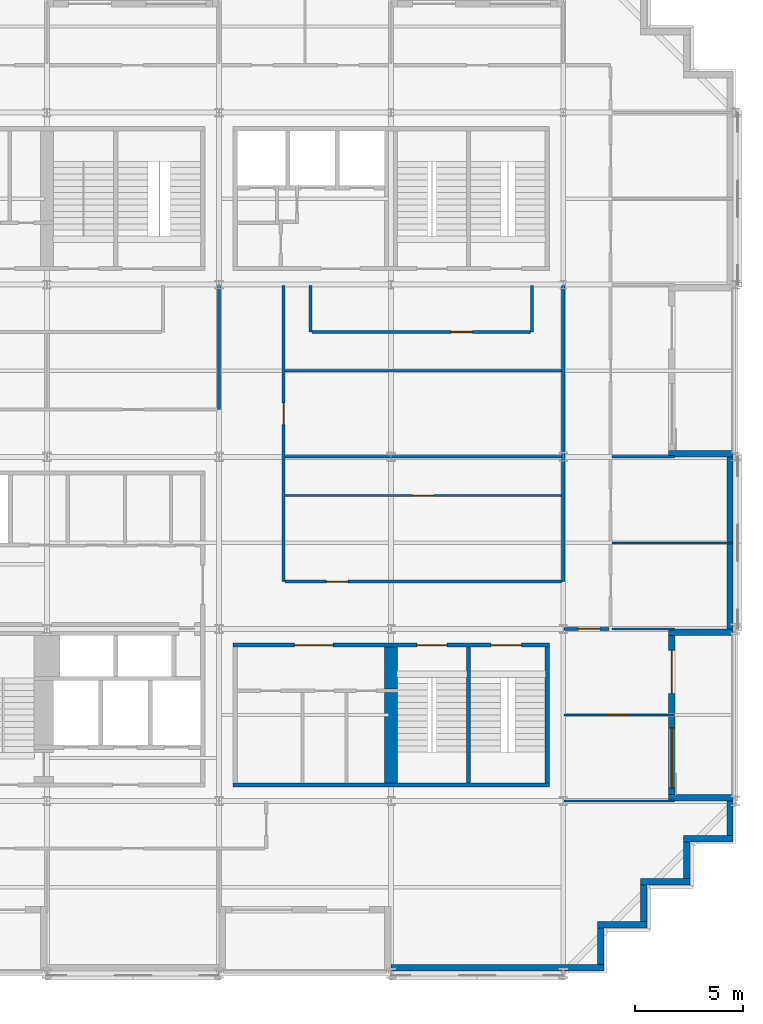
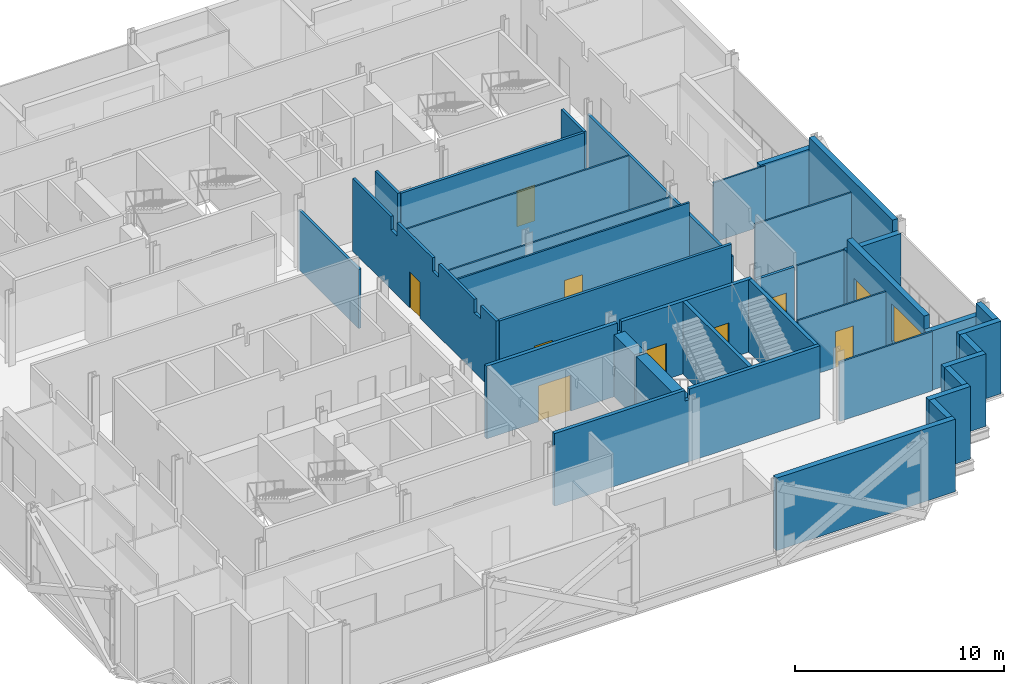
# One storey, part 8 of 14: 35 walls, 10 doors, 1 window, 11 openings.
"""IFC4 building model written with IfcOpenShell, lengths in metres."""

from ifc_helpers import new_model, si_unit, direction, frame, frame_2d, origin, place, context, subcontext, project, spatial, polyline, rectangle, outline, extrude, material, layer, layer_set, type_object, element, fill, save


model = new_model("IFC4")

# Units and contexts
model_context = context("Model", 3, precision=1e-05, world=origin(), true_north=direction((0.0, 1.0)))
body_context = subcontext(model_context, "Body", "Model", "MODEL_VIEW")
ifc_project = project(units=[si_unit("LENGTHUNIT", "METRE"), si_unit("AREAUNIT", "SQUARE_METRE"), si_unit("VOLUMEUNIT", "CUBIC_METRE"), si_unit("PLANEANGLEUNIT", "RADIAN"), si_unit("MASSUNIT", "GRAM", prefix="KILO")], contexts=[model_context])

# Site, building, storey
site_placement = place(None, origin())
site = spatial("IfcSite", under=ifc_project, at=site_placement, CompositionType="ELEMENT")
building_placement = place(site_placement, origin())
building = spatial("IfcBuilding", under=site, at=building_placement, Name="Immortelle Media Tower", CompositionType="ELEMENT")
storey_placement = place(building_placement, frame((0.0, 0.0, 96.39990234375)))
storey = spatial("IfcBuildingStorey", under=building, at=storey_placement, Name="L18", CompositionType="ELEMENT", Elevation=96.39990234375)

# Wall, opening, door
ifc_material_1 = material(Name="Fire-rated gypsum board", Category="gypsum")
ifc_layer_1 = layer(ifc_material_1, 0.012451171875)
ifc_material_2 = material(Name="Steel ASTM A653 SS Gr 50 stud frame with mineral wool", Category="steel")
ifc_layer_2 = layer(ifc_material_2, 0.125)
ifc_layer_3 = layer(ifc_material_1, 0.012451171875)
ifc_layer_set_1 = layer_set([ifc_layer_1, ifc_layer_2, ifc_layer_3], Name="Steel ASTM A653 SS Gr 50 stud frame with mineral wool")
wall_type_1 = type_object("IfcWallType", Name="Corridor wall 150", PredefinedType="PARTITIONING", material=ifc_layer_set_1)
wall_1_placement = place(storey_placement, frame((40.030029296875, 16.0, 0.0), z_axis=(0.0, 0.0, 1.0), x_axis=(1.0, 0.0, 0.0)))
wall_1 = element("IfcWall", 1, at=wall_1_placement, inside=storey, type_object=wall_type_1, Name="Partition L18-019", PredefinedType="PARTITIONING", context=body_context, shape_type="SweptSolid", body=[
    extrude(rectangle(XDim=2.094970703125, YDim=0.14990234375, at=frame_2d((1.04736328125, 0.0))), origin(), (0.0, 0.0, 1.0), 3.47021484375),
])
opening_1_placement = place(wall_1_placement, frame((1.669921875, 0.0, 0.0), z_axis=(0.0, 0.0, 1.0), x_axis=(-1.0, 0.0, 0.0)))
opening_1 = element("IfcOpeningElement", 2, at=opening_1_placement, cuts=wall_1, Name="Opening N6-F010", PredefinedType="OPENING", context=body_context, shape_type="SweptSolid", body=[
    extrude(rectangle(XDim=1.0, YDim=2.10009765625, at=frame_2d((0.5, 1.050048828125))), frame((0.0, 0.0849609375, 0.0), z_axis=(0.0, -1.0, 0.0), x_axis=(1.0, 0.0, 0.0)), (0.0, 0.0, 1.0), 0.169921875),
])
ifc_material_3 = material(Name="Timber veneered door leaf, galvanised steel frame ASTM A653", Category="steel")
door_type_1 = type_object("IfcDoorType", Name="Room door 1000 x 2100", OperationType="NOTDEFINED", PredefinedType="DOOR", material=ifc_material_3)
door_1_placement = place(opening_1_placement, origin())
door_1 = element("IfcDoor", 3, at=door_1_placement, inside=storey, type_object=door_type_1, Name="Door N6-F010", OperationType="SINGLE_SWING_RIGHT", OverallHeight=2.10009765625, OverallWidth=1.0, PredefinedType="DOOR", context=body_context, shape_type="SweptSolid", body=[
    extrude(rectangle(XDim=1.0, YDim=2.10009765625, at=frame_2d((0.5, 1.050048828125))), frame((0.0, 0.02490234375, 0.0), z_axis=(0.0, -1.0, 0.0), x_axis=(1.0, 0.0, 0.0)), (0.0, 0.0, 1.0), 0.050048828125),
])
fill(opening_1, door_1)

wall_2_placement = place(storey_placement, frame((27.074951171875, 18.199951171875, 0.0), z_axis=(0.0, 0.0, 1.0), x_axis=(1.0, 0.0, 0.0)))
wall_2 = element("IfcWall", 4, at=wall_2_placement, inside=storey, type_object=wall_type_1, Name="Partition L18-022", PredefinedType="PARTITIONING", context=body_context, shape_type="SweptSolid", body=[
    extrude(rectangle(XDim=12.85009765625, YDim=0.14990234375, at=frame_2d((6.425048828125, 0.0))), origin(), (0.0, 0.0, 1.0), 4.25),
])
opening_2_placement = place(wall_2_placement, frame((1.925048828125, 0.0, 0.0)))
opening_2 = element("IfcOpeningElement", 5, at=opening_2_placement, cuts=wall_2, Name="Opening N6-F016", PredefinedType="OPENING", context=body_context, shape_type="SweptSolid", body=[
    extrude(rectangle(XDim=1.0, YDim=2.10009765625, at=frame_2d((0.5, 1.050048828125))), frame((0.0, 0.0849609375, 0.0), z_axis=(0.0, -1.0, 0.0), x_axis=(1.0, 0.0, 0.0)), (0.0, 0.0, 1.0), 0.169921875),
])
door_2_placement = place(opening_2_placement, origin())
door_2 = element("IfcDoor", 6, at=door_2_placement, inside=storey, type_object=door_type_1, Name="Door N6-F016", OperationType="SINGLE_SWING_LEFT", OverallHeight=2.10009765625, OverallWidth=1.0, PredefinedType="DOOR", context=body_context, shape_type="SweptSolid", body=[
    extrude(rectangle(XDim=1.0, YDim=2.10009765625, at=frame_2d((0.5, 1.050048828125))), frame((0.0, 0.02490234375, 0.0), z_axis=(0.0, -1.0, 0.0), x_axis=(1.0, 0.0, 0.0)), (0.0, 0.0, 1.0), 0.050048828125),
])
fill(opening_2, door_2)

wall_3_placement = place(storey_placement, frame((27.0, 18.199951171875, 0.0), z_axis=(0.0, 0.0, 1.0), x_axis=(0.0, 1.0, 0.0)))
wall_3 = element("IfcWall", 7, at=wall_3_placement, inside=storey, type_object=wall_type_1, Name="Partition L18-023", PredefinedType="PARTITIONING", context=body_context, shape_type="SweptSolid", body=[
    extrude(outline(polyline([(0.0, 0.0), (13.77001953125, 0.0), (13.77001953125, 4.25), (10.10009765625, 4.25), (10.097900390625, 3.47021484375), (9.501953125, 3.47021484375), (9.5, 4.25), (6.10009765625, 4.25), (6.097900390625, 3.47021484375), (5.501953125, 3.47021484375), (5.5, 4.25), (2.10009765625, 4.25), (2.097900390625, 3.47021484375), (1.501953125, 3.47021484375), (1.5, 4.25), (0.0, 4.25), (0.0, 0.0)])), frame((0.0, 0.074951171875, 0.0), z_axis=(0.0, -1.0, 0.0), x_axis=(1.0, 0.0, 0.0)), (0.0, 0.0, 1.0), 0.14990234375),
])
opening_3_placement = place(wall_3_placement, frame((8.300048828125, 0.0, 0.0), z_axis=(0.0, 0.0, 1.0), x_axis=(-1.0, 0.0, 0.0)))
opening_3 = element("IfcOpeningElement", 8, at=opening_3_placement, cuts=wall_3, Name="Opening N6-F018", PredefinedType="OPENING", context=body_context, shape_type="SweptSolid", body=[
    extrude(rectangle(XDim=1.0, YDim=2.10009765625, at=frame_2d((0.5, 1.050048828125))), frame((0.0, 0.0849609375, 0.0), z_axis=(0.0, -1.0, 0.0), x_axis=(1.0, 0.0, 0.0)), (0.0, 0.0, 1.0), 0.169921875),
])
door_3_placement = place(opening_3_placement, origin())
door_3 = element("IfcDoor", 9, at=door_3_placement, inside=storey, type_object=door_type_1, Name="Door N6-F018", OperationType="SINGLE_SWING_RIGHT", OverallHeight=2.10009765625, OverallWidth=1.0, PredefinedType="DOOR", context=body_context, shape_type="SweptSolid", body=[
    extrude(rectangle(XDim=1.0, YDim=2.10009765625, at=frame_2d((0.5, 1.050048828125))), frame((0.0, 0.02490234375, 0.0), z_axis=(0.0, -1.0, 0.0), x_axis=(1.0, 0.0, 0.0)), (0.0, 0.0, 1.0), 0.050048828125),
])
fill(opening_3, door_3)

# Walls
wall_4_placement = place(storey_placement, frame((40.0, 18.199951171875, 0.0), z_axis=(0.0, 0.0, 1.0), x_axis=(0.0, 1.0, 0.0)))
element("IfcWall", 10, at=wall_4_placement, inside=storey, type_object=wall_type_1, Name="Partition L18-024", PredefinedType="PARTITIONING", context=body_context, shape_type="SweptSolid", body=[
    extrude(rectangle(XDim=13.77001953125, YDim=0.14990234375, at=frame_2d((6.885009765625, 0.0))), origin(), (0.0, 0.0, 1.0), 3.47021484375),
])
wall_5_placement = place(storey_placement, frame((24.0, 26.199951171875, 0.0), z_axis=(0.0, 0.0, 1.0), x_axis=(0.0, 1.0, 0.0)))
element("IfcWall", 11, at=wall_5_placement, inside=storey, type_object=wall_type_1, Name="Partition L18-033", PredefinedType="PARTITIONING", context=body_context, shape_type="SweptSolid", body=[
    extrude(rectangle(XDim=5.77001953125, YDim=0.14990234375, at=frame_2d((2.885009765625, 0.0))), origin(), (0.0, 0.0, 1.0), 3.47021484375),
])

# Wall, opening, door
wall_6_placement = place(storey_placement, frame((28.324951171875, 29.800048828125, 0.0), z_axis=(0.0, 0.0, 1.0), x_axis=(1.0, 0.0, 0.0)))
wall_6 = element("IfcWall", 12, at=wall_6_placement, inside=storey, type_object=wall_type_1, Name="Partition L18-038", PredefinedType="PARTITIONING", context=body_context, shape_type="SweptSolid", body=[
    extrude(rectangle(XDim=10.150146484375, YDim=0.14990234375, at=frame_2d((5.0751953125, 0.0))), origin(), (0.0, 0.0, 1.0), 4.25),
])
opening_4_placement = place(wall_6_placement, frame((7.449951171875, 0.0, 0.0), z_axis=(0.0, 0.0, 1.0), x_axis=(-1.0, 0.0, 0.0)))
opening_4 = element("IfcOpeningElement", 13, at=opening_4_placement, cuts=wall_6, Name="Opening N6-F019", PredefinedType="OPENING", context=body_context, shape_type="SweptSolid", body=[
    extrude(rectangle(XDim=1.0, YDim=2.10009765625, at=frame_2d((0.5, 1.050048828125))), frame((0.0, 0.0849609375, 0.0), z_axis=(0.0, -1.0, 0.0), x_axis=(1.0, 0.0, 0.0)), (0.0, 0.0, 1.0), 0.169921875),
])
door_4_placement = place(opening_4_placement, origin())
door_4 = element("IfcDoor", 14, at=door_4_placement, inside=storey, type_object=door_type_1, Name="Door N6-F019", OperationType="SINGLE_SWING_LEFT", OverallHeight=2.10009765625, OverallWidth=1.0, PredefinedType="DOOR", context=body_context, shape_type="SweptSolid", body=[
    extrude(rectangle(XDim=1.0, YDim=2.10009765625, at=frame_2d((0.5, 1.050048828125))), frame((0.0, 0.02490234375, 0.0), z_axis=(0.0, -1.0, 0.0), x_axis=(1.0, 0.0, 0.0)), (0.0, 0.0, 1.0), 0.050048828125),
])
fill(opening_4, door_4)

# Walls
for number, where, z_axis, x_axis, name in (
    (15, (28.25, 29.800048828125, 0.0), (0.0, 0.0, 1.0), (0.0, 1.0, 0.0), "Partition L18-039"),
    (16, (38.550048828125, 29.800048828125, 0.0), (0.0, 0.0, 1.0), (0.0, 1.0, 0.0), "Partition L18-040"),
):
    element("IfcWall", number, at=place(storey_placement, frame(where, z_axis=z_axis, x_axis=x_axis)), inside=storey, type_object=wall_type_1, Name=name, PredefinedType="PARTITIONING", context=body_context, shape_type="SweptSolid", body=[
        extrude(rectangle(XDim=2.169921875, YDim=0.14990234375, at=frame_2d((1.0849609375, 0.0))), origin(), (0.0, 0.0, 1.0), 4.25),
    ])
ifc_material_4 = material(Name="Pale aluminium cladding panel", Category="aluminium")
ifc_layer_4 = layer(ifc_material_4, 0.030029296875)
ifc_layer_5 = layer(ifc_material_2, 0.257568359375)
ifc_material_5 = material(Name="Moisture-resistant gypsum board", Category="gypsum")
ifc_layer_6 = layer(ifc_material_5, 0.012451171875)
ifc_layer_set_2 = layer_set([ifc_layer_4, ifc_layer_5, ifc_layer_6], Name="Steel ASTM A653 SS Gr 50 stud frame with mineral wool")
wall_type_2 = type_object("IfcWallType", Name="Facade wall 300", PredefinedType="SOLIDWALL", material=ifc_layer_set_2)
wall_7_placement = place(storey_placement, frame((32.0, 0.25, 0.0), z_axis=(0.0, 0.0, 1.0), x_axis=(1.0, 0.0, 0.0)))
element("IfcWall", 17, at=wall_7_placement, inside=storey, type_object=wall_type_2, Name="Facade wall L18 S7", PredefinedType="SOLIDWALL", context=body_context, shape_type="SweptSolid", body=[
    extrude(rectangle(XDim=9.89990234375, YDim=0.300048828125, at=frame_2d((4.949951171875, 0.0))), origin(), (0.0, 0.0, 1.0), 4.25),
])
wall_8_placement = place(storey_placement, frame((41.75, 0.39990234375, 0.0), z_axis=(0.0, 0.0, 1.0), x_axis=(0.0, 1.0, 0.0)))
element("IfcWall", 18, at=wall_8_placement, inside=storey, type_object=wall_type_2, Name="Facade wall L18 E8", PredefinedType="SOLIDWALL", context=body_context, shape_type="SweptSolid", body=[
    extrude(rectangle(XDim=1.7001953125, YDim=0.300048828125, at=frame_2d((0.85009765625, 0.0))), origin(), (0.0, 0.0, 1.0), 4.25),
])
wall_9_placement = place(storey_placement, frame((41.60009765625, 2.25, 0.0), z_axis=(0.0, 0.0, 1.0), x_axis=(1.0, 0.0, 0.0)))
element("IfcWall", 19, at=wall_9_placement, inside=storey, type_object=wall_type_2, Name="Facade wall L18 S9", PredefinedType="SOLIDWALL", context=body_context, shape_type="SweptSolid", body=[
    extrude(rectangle(XDim=2.2998046875, YDim=0.300048828125, at=frame_2d((1.14990234375, 0.0))), origin(), (0.0, 0.0, 1.0), 4.25),
])
wall_10_placement = place(storey_placement, frame((43.75, 2.39990234375, 0.0), z_axis=(0.0, 0.0, 1.0), x_axis=(0.0, 1.0, 0.0)))
element("IfcWall", 20, at=wall_10_placement, inside=storey, type_object=wall_type_2, Name="Facade wall L18 E10", PredefinedType="SOLIDWALL", context=body_context, shape_type="SweptSolid", body=[
    extrude(rectangle(XDim=1.7001953125, YDim=0.300048828125, at=frame_2d((0.85009765625, 0.0))), origin(), (0.0, 0.0, 1.0), 4.25),
])
wall_11_placement = place(storey_placement, frame((43.60009765625, 4.25, 0.0), z_axis=(0.0, 0.0, 1.0), x_axis=(1.0, 0.0, 0.0)))
element("IfcWall", 21, at=wall_11_placement, inside=storey, type_object=wall_type_2, Name="Facade wall L18 S11", PredefinedType="SOLIDWALL", context=body_context, shape_type="SweptSolid", body=[
    extrude(rectangle(XDim=2.2998046875, YDim=0.300048828125, at=frame_2d((1.14990234375, 0.0))), origin(), (0.0, 0.0, 1.0), 4.25),
])
wall_12_placement = place(storey_placement, frame((45.75, 4.39990234375, 0.0), z_axis=(0.0, 0.0, 1.0), x_axis=(0.0, 1.0, 0.0)))
element("IfcWall", 22, at=wall_12_placement, inside=storey, type_object=wall_type_2, Name="Facade wall L18 E12", PredefinedType="SOLIDWALL", context=body_context, shape_type="SweptSolid", body=[
    extrude(rectangle(XDim=1.7001953125, YDim=0.300048828125, at=frame_2d((0.85009765625, 0.0))), origin(), (0.0, 0.0, 1.0), 4.25),
])
wall_13_placement = place(storey_placement, frame((45.60009765625, 6.25, 0.0), z_axis=(0.0, 0.0, 1.0), x_axis=(1.0, 0.0, 0.0)))
element("IfcWall", 23, at=wall_13_placement, inside=storey, type_object=wall_type_2, Name="Facade wall L18 S13", PredefinedType="SOLIDWALL", context=body_context, shape_type="SweptSolid", body=[
    extrude(rectangle(XDim=2.2998046875, YDim=0.300048828125, at=frame_2d((1.14990234375, 0.0))), origin(), (0.0, 0.0, 1.0), 4.25),
])
wall_14_placement = place(storey_placement, frame((47.75, 6.39990234375, 0.0), z_axis=(0.0, 0.0, 1.0), x_axis=(0.0, 1.0, 0.0)))
element("IfcWall", 24, at=wall_14_placement, inside=storey, type_object=wall_type_2, Name="Facade wall L18 E14", PredefinedType="SOLIDWALL", context=body_context, shape_type="SweptSolid", body=[
    extrude(rectangle(XDim=1.60009765625, YDim=0.300048828125, at=frame_2d((0.800048828125, 0.0))), origin(), (0.0, 0.0, 1.0), 4.25),
])

# Wall, openings, door, window
wall_15_placement = place(storey_placement, frame((45.050048828125, 8.300048828125, 0.0), z_axis=(0.0, 0.0, 1.0), x_axis=(0.0, 1.0, 0.0)))
wall_15 = element("IfcWall", 25, at=wall_15_placement, inside=storey, type_object=wall_type_2, Name="Loggia wall L18 E14", PredefinedType="SOLIDWALL", context=body_context, shape_type="SweptSolid", body=[
    extrude(rectangle(XDim=7.39990234375, YDim=0.300048828125, at=frame_2d((3.699951171875, 0.0))), origin(), (0.0, 0.0, 1.0), 4.25),
])
opening_5_placement = place(wall_15_placement, frame((0.300048828125, 0.0, 0.89990234375)))
opening_5 = element("IfcOpeningElement", 26, at=opening_5_placement, cuts=wall_15, Name="Opening W1", PredefinedType="OPENING", context=body_context, shape_type="SweptSolid", body=[
    extrude(rectangle(XDim=2.800048828125, YDim=2.199951171875, at=frame_2d((1.39990234375, 1.10009765625))), frame((0.0, 0.159912109375, 0.0), z_axis=(0.0, -1.0, 0.0), x_axis=(1.0, 0.0, 0.0)), (0.0, 0.0, 1.0), 0.320068359375),
])
opening_6_placement = place(wall_15_placement, frame((4.699951171875, 0.0, 0.0)))
opening_6 = element("IfcOpeningElement", 27, at=opening_6_placement, cuts=wall_15, Name="Opening N6-E005", PredefinedType="OPENING", context=body_context, shape_type="SweptSolid", body=[
    extrude(rectangle(XDim=2.0, YDim=2.39990234375, at=frame_2d((1.0, 1.199951171875))), frame((0.0, 0.159912109375, 0.0), z_axis=(0.0, -1.0, 0.0), x_axis=(1.0, 0.0, 0.0)), (0.0, 0.0, 1.0), 0.320068359375),
])
ifc_material_6 = material(Name="Aluminium frame, glazed leaves", Category="aluminium")
door_type_2 = type_object("IfcDoorType", Name="Loggia door 2000 x 2400", OperationType="DOUBLE_DOOR_SINGLE_SWING", PredefinedType="DOOR", material=ifc_material_6)
door_5_placement = place(opening_6_placement, origin())
door_5 = element("IfcDoor", 28, at=door_5_placement, inside=storey, type_object=door_type_2, Name="Door N6-E005", OperationType="DOUBLE_DOOR_SINGLE_SWING", OverallHeight=2.39990234375, OverallWidth=2.0, PredefinedType="DOOR", context=body_context, shape_type="SweptSolid", body=[
    extrude(rectangle(XDim=2.0, YDim=2.39990234375, at=frame_2d((1.0, 1.199951171875))), frame((0.0, 0.02490234375, 0.0), z_axis=(0.0, -1.0, 0.0), x_axis=(1.0, 0.0, 0.0)), (0.0, 0.0, 1.0), 0.050048828125),
])
fill(opening_6, door_5)
ifc_material_7 = material(Name="Aluminium frame", Category="aluminium")
window_type = type_object("IfcWindowType", Name="Window 2800 x 2200", PartitioningType="SINGLE_PANEL", PredefinedType="WINDOW", material=ifc_material_7)
window_placement = place(opening_5_placement, origin())
window = element("IfcWindow", 29, at=window_placement, inside=storey, type_object=window_type, Name="Window L18 L18-R14-B0", OverallHeight=2.199951171875, OverallWidth=2.800048828125, PartitioningType="SINGLE_PANEL", PredefinedType="WINDOW", context=body_context, shape_type="SweptSolid", body=[
    extrude(rectangle(XDim=2.800048828125, YDim=2.199951171875, at=frame_2d((1.39990234375, 1.10009765625))), frame((0.0, 0.030029296875, 0.0), z_axis=(0.0, -1.0, 0.0), x_axis=(1.0, 0.0, 0.0)), (0.0, 0.0, 1.0), 0.06005859375),
])
fill(opening_5, window)

# Walls
wall_16_placement = place(storey_placement, frame((47.89990234375, 8.14990234375, 0.0), z_axis=(0.0, 0.0, 1.0), x_axis=(-1.0, 0.0, 0.0)))
element("IfcWall", 30, at=wall_16_placement, inside=storey, type_object=wall_type_2, Name="Loggia cheek wall L18 E", PredefinedType="SOLIDWALL", context=body_context, shape_type="SweptSolid", body=[
    extrude(rectangle(XDim=3.0, YDim=0.300048828125, at=frame_2d((1.5, 0.0))), origin(), (0.0, 0.0, 1.0), 3.468994140625),
])
wall_17_placement = place(storey_placement, frame((47.89990234375, 15.85009765625, 0.0), z_axis=(0.0, 0.0, 1.0), x_axis=(-1.0, 0.0, 0.0)))
element("IfcWall", 31, at=wall_17_placement, inside=storey, type_object=wall_type_2, Name="Loggia cheek wall L18 E", PredefinedType="SOLIDWALL", context=body_context, shape_type="SweptSolid", body=[
    extrude(rectangle(XDim=3.0, YDim=0.300048828125, at=frame_2d((1.5, 0.0))), origin(), (0.0, 0.0, 1.0), 3.55615234375),
])
wall_18_placement = place(storey_placement, frame((47.75, 16.0, 0.0), z_axis=(0.0, 0.0, 1.0), x_axis=(0.0, 1.0, 0.0)))
element("IfcWall", 32, at=wall_18_placement, inside=storey, type_object=wall_type_2, Name="Facade wall L18 E14", PredefinedType="SOLIDWALL", context=body_context, shape_type="SweptSolid", body=[
    extrude(rectangle(XDim=8.0, YDim=0.300048828125, at=frame_2d((4.0, 0.0))), origin(), (0.0, 0.0, 1.0), 4.25),
])
wall_19_placement = place(storey_placement, frame((47.89990234375, 24.14990234375, 0.0), z_axis=(0.0, 0.0, 1.0), x_axis=(-1.0, 0.0, 0.0)))
element("IfcWall", 33, at=wall_19_placement, inside=storey, type_object=wall_type_2, Name="Loggia cheek wall L18 E", PredefinedType="SOLIDWALL", context=body_context, shape_type="SweptSolid", body=[
    extrude(rectangle(XDim=3.0, YDim=0.300048828125, at=frame_2d((1.5, 0.0))), origin(), (0.0, 0.0, 1.0), 3.55615234375),
])
ifc_material_8 = material(Name="Gypsum board", Category="gypsum")
ifc_layer_7 = layer(ifc_material_8, 0.012451171875)
ifc_layer_8 = layer(ifc_material_2, 0.074951171875)
ifc_layer_9 = layer(ifc_material_8, 0.012451171875)
ifc_layer_set_3 = layer_set([ifc_layer_7, ifc_layer_8, ifc_layer_9], Name="Steel ASTM A653 SS Gr 50 stud frame with mineral wool")
wall_type_3 = type_object("IfcWallType", Name="Partition 100", PredefinedType="PARTITIONING", material=ifc_layer_set_3)
wall_20_placement = place(storey_placement, frame((40.030029296875, 8.0, 0.0), z_axis=(0.0, 0.0, 1.0), x_axis=(1.0, 0.0, 0.0)))
element("IfcWall", 34, at=wall_20_placement, inside=storey, type_object=wall_type_3, Name="Partition L18-011", PredefinedType="PARTITIONING", context=body_context, shape_type="SweptSolid", body=[
    extrude(rectangle(XDim=5.139892578125, YDim=0.10009765625, at=frame_2d((2.56982421875, 0.0))), origin(), (0.0, 0.0, 1.0), 3.47021484375),
])

# Wall, opening, door
wall_21_placement = place(storey_placement, frame((40.030029296875, 12.0, 0.0), z_axis=(0.0, 0.0, 1.0), x_axis=(1.0, 0.0, 0.0)))
wall_21 = element("IfcWall", 35, at=wall_21_placement, inside=storey, type_object=wall_type_3, Name="Partition L18-016", PredefinedType="PARTITIONING", context=body_context, shape_type="SweptSolid", body=[
    extrude(rectangle(XDim=5.139892578125, YDim=0.10009765625, at=frame_2d((2.56982421875, 0.0))), origin(), (0.0, 0.0, 1.0), 3.47021484375),
])
opening_7_placement = place(wall_21_placement, frame((3.070068359375, 0.0, 0.0), z_axis=(0.0, 0.0, 1.0), x_axis=(-1.0, 0.0, 0.0)))
opening_7 = element("IfcOpeningElement", 36, at=opening_7_placement, cuts=wall_21, Name="Opening N6-F011", PredefinedType="OPENING", context=body_context, shape_type="SweptSolid", body=[
    extrude(rectangle(XDim=1.0, YDim=2.10009765625, at=frame_2d((0.5, 1.050048828125))), frame((0.0, 0.06005859375, 0.0), z_axis=(0.0, -1.0, 0.0), x_axis=(1.0, 0.0, 0.0)), (0.0, 0.0, 1.0), 0.1201171875),
])
door_6_placement = place(opening_7_placement, origin())
door_6 = element("IfcDoor", 37, at=door_6_placement, inside=storey, type_object=door_type_1, Name="Door N6-F011", OperationType="SINGLE_SWING_LEFT", OverallHeight=2.10009765625, OverallWidth=1.0, PredefinedType="DOOR", context=body_context, shape_type="SweptSolid", body=[
    extrude(rectangle(XDim=1.0, YDim=2.10009765625, at=frame_2d((0.5, 1.050048828125))), frame((0.0, 0.02490234375, 0.0), z_axis=(0.0, -1.0, 0.0), x_axis=(1.0, 0.0, 0.0)), (0.0, 0.0, 1.0), 0.050048828125),
])
fill(opening_7, door_6)

# Walls
wall_22_placement = place(storey_placement, frame((42.27490234375, 16.0, 0.0), z_axis=(0.0, 0.0, 1.0), x_axis=(1.0, 0.0, 0.0)))
element("IfcWall", 38, at=wall_22_placement, inside=storey, type_object=wall_type_3, Name="Partition L18-020", PredefinedType="PARTITIONING", context=body_context, shape_type="SweptSolid", body=[
    extrude(rectangle(XDim=2.89501953125, YDim=0.10009765625, at=frame_2d((1.447509765625, 0.0))), origin(), (0.0, 0.0, 1.0), 3.47021484375),
])
wall_23_placement = place(storey_placement, frame((42.27490234375, 20.0, 0.0), z_axis=(0.0, 0.0, 1.0), x_axis=(1.0, 0.0, 0.0)))
element("IfcWall", 39, at=wall_23_placement, inside=storey, type_object=wall_type_3, Name="Partition L18-026", PredefinedType="PARTITIONING", context=body_context, shape_type="SweptSolid", body=[
    extrude(rectangle(XDim=5.59521484375, YDim=0.10009765625, at=frame_2d((2.797607421875, 0.0))), origin(), (0.0, 0.0, 1.0), 3.47021484375),
])

# Wall, opening, door
wall_24_placement = place(storey_placement, frame((27.074951171875, 22.199951171875, 0.0), z_axis=(0.0, 0.0, 1.0), x_axis=(1.0, 0.0, 0.0)))
wall_24 = element("IfcWall", 40, at=wall_24_placement, inside=storey, type_object=wall_type_3, Name="Partition L18-027", PredefinedType="PARTITIONING", context=body_context, shape_type="SweptSolid", body=[
    extrude(rectangle(XDim=12.85009765625, YDim=0.10009765625, at=frame_2d((6.425048828125, 0.0))), origin(), (0.0, 0.0, 1.0), 4.25),
])
opening_8_placement = place(wall_24_placement, frame((6.925048828125, 0.0, 0.0), z_axis=(0.0, 0.0, 1.0), x_axis=(-1.0, 0.0, 0.0)))
opening_8 = element("IfcOpeningElement", 41, at=opening_8_placement, cuts=wall_24, Name="Opening N6-F017", PredefinedType="OPENING", context=body_context, shape_type="SweptSolid", body=[
    extrude(rectangle(XDim=1.0, YDim=2.10009765625, at=frame_2d((0.5, 1.050048828125))), frame((0.0, 0.06005859375, 0.0), z_axis=(0.0, -1.0, 0.0), x_axis=(1.0, 0.0, 0.0)), (0.0, 0.0, 1.0), 0.1201171875),
])
door_7_placement = place(opening_8_placement, origin())
door_7 = element("IfcDoor", 42, at=door_7_placement, inside=storey, type_object=door_type_1, Name="Door N6-F017", OperationType="SINGLE_SWING_RIGHT", OverallHeight=2.10009765625, OverallWidth=1.0, PredefinedType="DOOR", context=body_context, shape_type="SweptSolid", body=[
    extrude(rectangle(XDim=1.0, YDim=2.10009765625, at=frame_2d((0.5, 1.050048828125))), frame((0.0, 0.02490234375, 0.0), z_axis=(0.0, -1.0, 0.0), x_axis=(1.0, 0.0, 0.0)), (0.0, 0.0, 1.0), 0.050048828125),
])
fill(opening_8, door_7)

# Walls
wall_25_placement = place(storey_placement, frame((27.074951171875, 24.0, 0.0), z_axis=(0.0, 0.0, 1.0), x_axis=(1.0, 0.0, 0.0)))
element("IfcWall", 43, at=wall_25_placement, inside=storey, type_object=wall_type_3, Name="Partition L18-029", PredefinedType="PARTITIONING", context=body_context, shape_type="SweptSolid", body=[
    extrude(rectangle(XDim=12.85009765625, YDim=0.10009765625, at=frame_2d((6.425048828125, 0.0))), origin(), (0.0, 0.0, 1.0), 3.47021484375),
])
wall_26_placement = place(storey_placement, frame((42.27490234375, 24.0, 0.0), z_axis=(0.0, 0.0, 1.0), x_axis=(1.0, 0.0, 0.0)))
element("IfcWall", 44, at=wall_26_placement, inside=storey, type_object=wall_type_3, Name="Partition L18-030", PredefinedType="PARTITIONING", context=body_context, shape_type="SweptSolid", body=[
    extrude(rectangle(XDim=2.89501953125, YDim=0.10009765625, at=frame_2d((1.447509765625, 0.0))), origin(), (0.0, 0.0, 1.0), 3.47021484375),
])
wall_27_placement = place(storey_placement, frame((27.074951171875, 28.0, 0.0), z_axis=(0.0, 0.0, 1.0), x_axis=(1.0, 0.0, 0.0)))
element("IfcWall", 45, at=wall_27_placement, inside=storey, type_object=wall_type_3, Name="Partition L18-034", PredefinedType="PARTITIONING", context=body_context, shape_type="SweptSolid", body=[
    extrude(rectangle(XDim=12.85009765625, YDim=0.10009765625, at=frame_2d((6.425048828125, 0.0))), origin(), (0.0, 0.0, 1.0), 3.47021484375),
])
ifc_material_9 = material(Name="Concrete C60", Category="concrete")
ifc_layer_10 = layer(ifc_material_9, 0.199951171875)
ifc_layer_set_4 = layer_set([ifc_layer_10], Name="Concrete C60")
wall_type_4 = type_object("IfcWallType", Name="Stair shaft wall 200", PredefinedType="PARTITIONING", material=ifc_layer_set_4)
wall_28_placement = place(storey_placement, frame((24.64990234375, 8.75, 0.0), z_axis=(0.0, 0.0, 1.0), x_axis=(1.0, 0.0, 0.0)))
element("IfcWall", 46, at=wall_28_placement, inside=storey, type_object=wall_type_4, Name="Stair shaft wall SE", PredefinedType="PARTITIONING", context=body_context, shape_type="SweptSolid", body=[
    extrude(outline(polyline([(0.0, 0.0), (14.7001953125, 0.0), (14.699951171875, 4.25), (7.469482421875, 4.25), (7.468505859375, 3.632080078125), (7.2314453125, 3.632080078125), (7.23046875, 4.25), (0.0, 4.25), (0.0, 0.0)])), frame((0.0, 0.10009765625, 0.0), z_axis=(0.0, -1.0, 0.0), x_axis=(1.0, 0.0, 0.0)), (0.0, 0.0, 1.0), 0.199951171875),
])

# Wall, openings, doors
wall_29_placement = place(storey_placement, frame((24.64990234375, 15.25, 0.0), z_axis=(0.0, 0.0, 1.0), x_axis=(1.0, 0.0, 0.0)))
wall_29 = element("IfcWall", 47, at=wall_29_placement, inside=storey, type_object=wall_type_4, Name="Stair shaft wall SE", PredefinedType="PARTITIONING", context=body_context, shape_type="SweptSolid", body=[
    extrude(outline(polyline([(0.0, 0.0), (14.7001953125, 0.0), (14.699951171875, 4.25), (7.469482421875, 4.25), (7.468505859375, 3.632080078125), (7.2314453125, 3.632080078125), (7.23046875, 4.25), (0.0, 4.25), (0.0, 0.0)])), frame((0.0, 0.10009765625, 0.0), z_axis=(0.0, -1.0, 0.0), x_axis=(1.0, 0.0, 0.0)), (0.0, 0.0, 1.0), 0.199951171875),
])
opening_9_placement = place(wall_29_placement, frame((2.85009765625, 0.0, 0.0)))
opening_9 = element("IfcOpeningElement", 48, at=opening_9_placement, cuts=wall_29, Name="Opening N6-K016", PredefinedType="OPENING", context=body_context, shape_type="SweptSolid", body=[
    extrude(rectangle(XDim=1.800048828125, YDim=2.10009765625, at=frame_2d((0.89990234375, 1.050048828125))), frame((0.0, 0.10986328125, 0.0), z_axis=(0.0, -1.0, 0.0), x_axis=(1.0, 0.0, 0.0)), (0.0, 0.0, 1.0), 0.219970703125),
])
opening_10_placement = place(wall_29_placement, frame((9.949951171875, 0.0, 0.0), z_axis=(0.0, 0.0, 1.0), x_axis=(-1.0, 0.0, 0.0)))
opening_10 = element("IfcOpeningElement", 49, at=opening_10_placement, cuts=wall_29, Name="Opening N6-K019", PredefinedType="OPENING", context=body_context, shape_type="SweptSolid", body=[
    extrude(rectangle(XDim=1.39990234375, YDim=2.10009765625, at=frame_2d((0.699951171875, 1.050048828125))), frame((0.0, 0.10986328125, 0.0), z_axis=(0.0, -1.0, 0.0), x_axis=(1.0, 0.0, 0.0)), (0.0, 0.0, 1.0), 0.219970703125),
])
opening_11_placement = place(wall_29_placement, frame((13.39990234375, 0.0, 0.0), z_axis=(0.0, 0.0, 1.0), x_axis=(-1.0, 0.0, 0.0)))
opening_11 = element("IfcOpeningElement", 50, at=opening_11_placement, cuts=wall_29, Name="Opening N6-K020", PredefinedType="OPENING", context=body_context, shape_type="SweptSolid", body=[
    extrude(rectangle(XDim=1.39990234375, YDim=2.10009765625, at=frame_2d((0.699951171875, 1.050048828125))), frame((0.0, 0.10986328125, 0.0), z_axis=(0.0, -1.0, 0.0), x_axis=(1.0, 0.0, 0.0)), (0.0, 0.0, 1.0), 0.219970703125),
])
ifc_material_10 = material(Name="Galvanised steel door leaf and frame ASTM A653", Category="steel")
door_type_3 = type_object("IfcDoorType", Name="Lift lobby door 1800 x 2100", OperationType="DOUBLE_DOOR_SINGLE_SWING", PredefinedType="NOTDEFINED", material=ifc_material_10)
door_8_placement = place(opening_9_placement, origin())
door_8 = element("IfcDoor", 51, at=door_8_placement, inside=storey, type_object=door_type_3, Name="Lift lobby N6-K016", OperationType="DOUBLE_DOOR_SINGLE_SWING", OverallHeight=2.10009765625, OverallWidth=1.800048828125, PredefinedType="NOTDEFINED", context=body_context, shape_type="SweptSolid", body=[
    extrude(rectangle(XDim=1.800048828125, YDim=2.10009765625, at=frame_2d((0.89990234375, 1.050048828125))), frame((0.0, 0.02490234375, 0.0), z_axis=(0.0, -1.0, 0.0), x_axis=(1.0, 0.0, 0.0)), (0.0, 0.0, 1.0), 0.050048828125),
])
fill(opening_9, door_8)
door_type_4 = type_object("IfcDoorType", Name="Stair door 1400 x 2100", OperationType="DOUBLE_DOOR_SINGLE_SWING", PredefinedType="NOTDEFINED", material=ifc_material_10)
door_9_placement = place(opening_10_placement, origin())
door_9 = element("IfcDoor", 52, at=door_9_placement, inside=storey, type_object=door_type_4, Name="Stair N6-K019", OperationType="DOUBLE_DOOR_SINGLE_SWING", OverallHeight=2.10009765625, OverallWidth=1.39990234375, PredefinedType="NOTDEFINED", context=body_context, shape_type="SweptSolid", body=[
    extrude(rectangle(XDim=1.39990234375, YDim=2.10009765625, at=frame_2d((0.699951171875, 1.050048828125))), frame((0.0, 0.02490234375, 0.0), z_axis=(0.0, -1.0, 0.0), x_axis=(1.0, 0.0, 0.0)), (0.0, 0.0, 1.0), 0.050048828125),
])
fill(opening_10, door_9)
door_10_placement = place(opening_11_placement, origin())
door_10 = element("IfcDoor", 53, at=door_10_placement, inside=storey, type_object=door_type_4, Name="Stair N6-K020", OperationType="DOUBLE_DOOR_SINGLE_SWING", OverallHeight=2.10009765625, OverallWidth=1.39990234375, PredefinedType="NOTDEFINED", context=body_context, shape_type="SweptSolid", body=[
    extrude(rectangle(XDim=1.39990234375, YDim=2.10009765625, at=frame_2d((0.699951171875, 1.050048828125))), frame((0.0, 0.02490234375, 0.0), z_axis=(0.0, -1.0, 0.0), x_axis=(1.0, 0.0, 0.0)), (0.0, 0.0, 1.0), 0.050048828125),
])
fill(opening_11, door_10)

# Walls
for number, where, z_axis, x_axis, name in (
    (54, (35.60009765625, 8.85009765625, 0.0), (0.0, 0.0, 1.0), (0.0, 1.0, 0.0), "Stair shaft wall SE"),
    (55, (39.25, 8.85009765625, 0.0), (0.0, 0.0, 1.0), (0.0, 1.0, 0.0), "Stair shaft wall SE"),
):
    element("IfcWall", number, at=place(storey_placement, frame(where, z_axis=z_axis, x_axis=x_axis)), inside=storey, type_object=wall_type_4, Name=name, PredefinedType="PARTITIONING", context=body_context, shape_type="SweptSolid", body=[
        extrude(rectangle(XDim=6.2998046875, YDim=0.199951171875, at=frame_2d((3.14990234375, 0.0))), origin(), (0.0, 0.0, 1.0), 4.25),
    ])
ifc_layer_11 = layer(ifc_material_9, 0.60009765625)
ifc_layer_set_5 = layer_set([ifc_layer_11], Name="Concrete C60")
wall_type_5 = type_object("IfcWallType", Name="Stair shaft wall 600", PredefinedType="PARTITIONING", material=ifc_layer_set_5)
wall_30_placement = place(storey_placement, frame((32.0, 8.85009765625, 0.0), z_axis=(0.0, 0.0, 1.0), x_axis=(0.0, 1.0, 0.0)))
element("IfcWall", 56, at=wall_30_placement, inside=storey, type_object=wall_type_5, Name="Stair shaft wall SE", PredefinedType="PARTITIONING", context=body_context, shape_type="SweptSolid", body=[
    extrude(rectangle(XDim=4.199951171875, YDim=0.60009765625, at=frame_2d((2.10009765625, 0.0))), origin(), (0.0, 0.0, 1.0), 3.632080078125),
])
wall_31_placement = place(storey_placement, frame((32.0, 13.199951171875, 0.0), z_axis=(0.0, 0.0, 1.0), x_axis=(0.0, 1.0, 0.0)))
element("IfcWall", 57, at=wall_31_placement, inside=storey, type_object=wall_type_5, Name="Stair shaft wall SE", PredefinedType="PARTITIONING", context=body_context, shape_type="SweptSolid", body=[
    extrude(rectangle(XDim=1.949951171875, YDim=0.60009765625, at=frame_2d((0.97509765625, 0.0))), origin(), (0.0, 0.0, 1.0), 3.632080078125),
])

save(model, "model.ifc")
